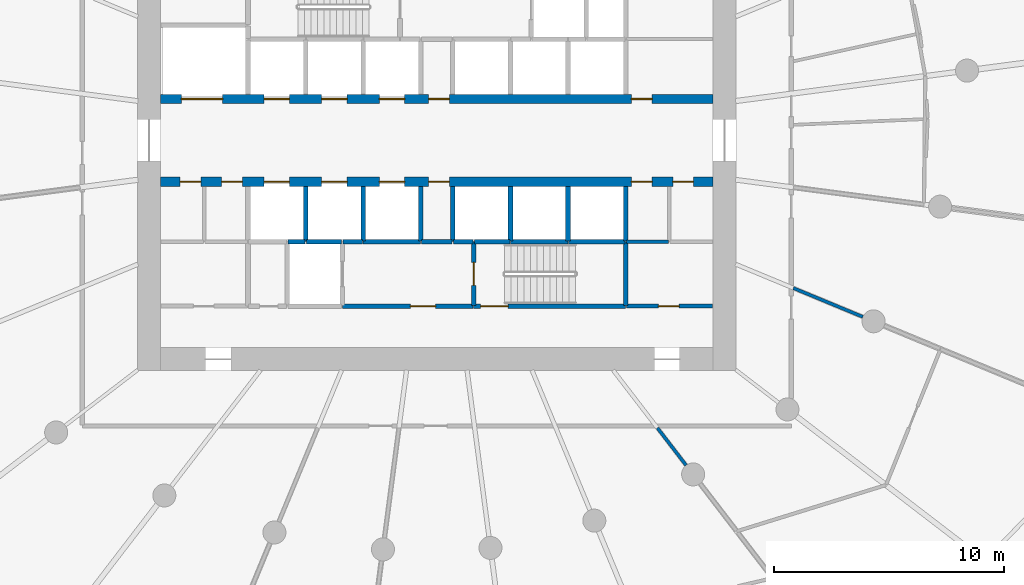
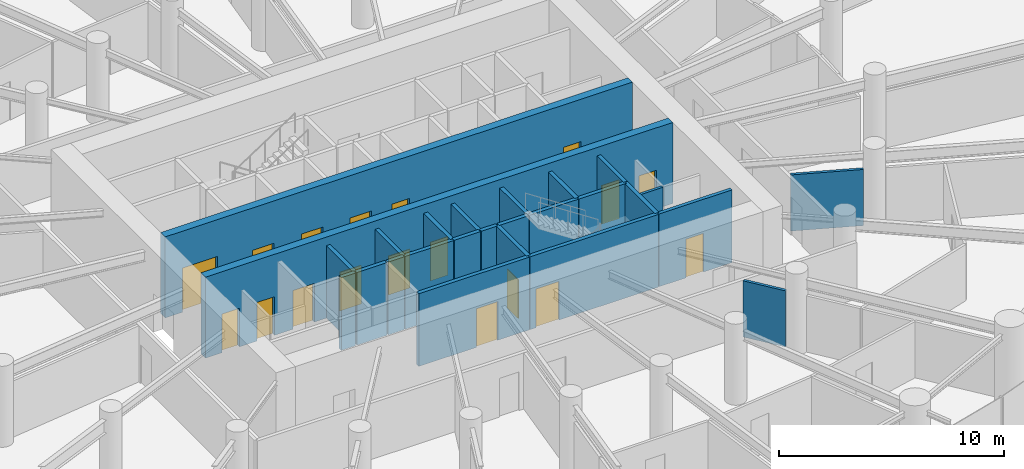
# One storey, part 13 of 19: 26 walls, 18 doors, 18 openings.
"""IFC4 building model written with IfcOpenShell, lengths in metres."""

from ifc_helpers import new_model, si_unit, direction, frame, frame_2d, origin, place, context, subcontext, project, spatial, rectangle, extrude, source, transform, mapped, material, layer, layer_set, type_object, element, fill, save


model = new_model("IFC4")

# Units and contexts
model_context = context("Model", 3, precision=1e-05, world=origin(), true_north=direction((0.0, 1.0)))
body_context = subcontext(model_context, "Body", "Model", "MODEL_VIEW")
ifc_project = project(units=[si_unit("LENGTHUNIT", "METRE"), si_unit("AREAUNIT", "SQUARE_METRE"), si_unit("VOLUMEUNIT", "CUBIC_METRE"), si_unit("PLANEANGLEUNIT", "RADIAN"), si_unit("MASSUNIT", "GRAM", prefix="KILO")], contexts=[model_context])

# Site, building, storey
site_placement = place(None, origin())
site = spatial("IfcSite", under=ifc_project, at=site_placement, CompositionType="ELEMENT")
building_placement = place(site_placement, origin())
building = spatial("IfcBuilding", under=site, at=building_placement, Name="Spindrift Exchange Tower", CompositionType="ELEMENT")
storey_placement = place(building_placement, frame((0.0, 0.0, 27.0)))
storey = spatial("IfcBuildingStorey", under=building, at=storey_placement, Name="L06", CompositionType="ELEMENT", Elevation=27.0)

# Wall, openings, doors
ifc_material_1 = material(Name="Concrete 80 MPa", Category="concrete")
ifc_layer_1 = layer(ifc_material_1, 0.39990234375)
ifc_layer_set_1 = layer_set([ifc_layer_1], Name="RC Spine Wall 400 Concrete 80 MPa")
wall_type_1 = type_object("IfcWallType", Name="RC Spine Wall 400 Concrete 80 MPa", PredefinedType="SHEAR", material=ifc_layer_set_1)
wall_1_placement = place(storey_placement, frame((40.0, 49.800048828125, 0.0), z_axis=(0.0, 0.0, 1.0), x_axis=(1.0, 0.0, 0.0)))
wall_1 = element("IfcWall", 1, at=wall_1_placement, inside=storey, type_object=wall_type_1, Name="Core spine wall N L06", PredefinedType="SHEAR", context=body_context, shape_type="SweptSolid", body=[
    extrude(rectangle(XDim=24.0, YDim=0.39990234375, at=frame_2d((12.0, 0.0))), origin(), (0.0, 0.0, 1.0), 4.39990234375),
])
opening_1_placement = place(wall_1_placement, frame((4.5, 0.0, 0.0)))
opening_1 = element("IfcOpeningElement", 2, at=opening_1_placement, cuts=wall_1, Name="Opening L06-D3", PredefinedType="OPENING", context=body_context, shape_type="SweptSolid", body=[
    extrude(rectangle(XDim=1.10009765625, YDim=2.10009765625, at=frame_2d((0.550048828125, 1.050048828125))), frame((0.0, 0.2099609375, 0.0), z_axis=(0.0, -1.0, 0.0), x_axis=(1.0, 0.0, 0.0)), (0.0, 0.0, 1.0), 0.419921875),
])
opening_2_placement = place(wall_1_placement, frame((7.0, 0.0, 0.0)))
opening_2 = element("IfcOpeningElement", 3, at=opening_2_placement, cuts=wall_1, Name="Opening L06-D4", PredefinedType="OPENING", context=body_context, shape_type="SweptSolid", body=[
    extrude(rectangle(XDim=1.10009765625, YDim=2.10009765625, at=frame_2d((0.550048828125, 1.050048828125))), frame((0.0, 0.2099609375, 0.0), z_axis=(0.0, -1.0, 0.0), x_axis=(1.0, 0.0, 0.0)), (0.0, 0.0, 1.0), 0.419921875),
])
opening_3_placement = place(wall_1_placement, frame((9.5, 0.0, 0.0)))
opening_3 = element("IfcOpeningElement", 4, at=opening_3_placement, cuts=wall_1, Name="Opening L06-D5", PredefinedType="OPENING", context=body_context, shape_type="SweptSolid", body=[
    extrude(rectangle(XDim=1.10009765625, YDim=2.10009765625, at=frame_2d((0.550048828125, 1.050048828125))), frame((0.0, 0.2099609375, 0.0), z_axis=(0.0, -1.0, 0.0), x_axis=(1.0, 0.0, 0.0)), (0.0, 0.0, 1.0), 0.419921875),
])
opening_4_placement = place(wall_1_placement, frame((0.89990234375, 0.0, 0.0)))
opening_4 = element("IfcOpeningElement", 5, at=opening_4_placement, cuts=wall_1, Name="Opening L06-D12", PredefinedType="OPENING", context=body_context, shape_type="SweptSolid", body=[
    extrude(rectangle(XDim=1.800048828125, YDim=2.39990234375, at=frame_2d((0.89990234375, 1.199951171875))), frame((0.0, 0.2099609375, 0.0), z_axis=(0.0, -1.0, 0.0), x_axis=(1.0, 0.0, 0.0)), (0.0, 0.0, 1.0), 0.419921875),
])
opening_5_placement = place(wall_1_placement, frame((20.449951171875, 0.0, 0.0)))
opening_5 = element("IfcOpeningElement", 6, at=opening_5_placement, cuts=wall_1, Name="Opening L06-D53", PredefinedType="OPENING", context=body_context, shape_type="SweptSolid", body=[
    extrude(rectangle(XDim=0.89990234375, YDim=2.10009765625, at=frame_2d((0.449951171875, 1.050048828125))), frame((0.0, 0.2099609375, 0.0), z_axis=(0.0, -1.0, 0.0), x_axis=(1.0, 0.0, 0.0)), (0.0, 0.0, 1.0), 0.419921875),
])
opening_6_placement = place(wall_1_placement, frame((11.64990234375, 0.0, 0.0)))
opening_6 = element("IfcOpeningElement", 7, at=opening_6_placement, cuts=wall_1, Name="Opening L06-D58", PredefinedType="OPENING", context=body_context, shape_type="SweptSolid", body=[
    extrude(rectangle(XDim=0.89990234375, YDim=2.10009765625, at=frame_2d((0.449951171875, 1.050048828125))), frame((0.0, 0.2099609375, 0.0), z_axis=(0.0, -1.0, 0.0), x_axis=(1.0, 0.0, 0.0)), (0.0, 0.0, 1.0), 0.419921875),
])
ifc_material_2 = material(Name="Stainless steel landing door", Category="steel")
door_type_1 = type_object("IfcDoorType", Name="DR-LANDING-1100-SL", OperationType="DOUBLE_DOOR_SLIDING", PredefinedType="USERDEFINED", material=ifc_material_2)
shared_shape_1 = source(origin(), body_context, "Body", "SweptSolid", [
    extrude(rectangle(XDim=1.10009765625, YDim=2.10009765625, at=frame_2d((0.550048828125, 1.050048828125))), frame((0.0, 0.02490234375, 0.0), z_axis=(0.0, -1.0, 0.0), x_axis=(1.0, 0.0, 0.0)), (0.0, 0.0, 1.0), 0.050048828125),
])
door_1_placement = place(opening_1_placement, origin())
door_1 = element("IfcDoor", 8, at=door_1_placement, inside=storey, type_object=door_type_1, Name="L06 Lift landing door 3", ObjectType="LANDING DOOR", OperationType="DOUBLE_DOOR_SLIDING", OverallHeight=2.10009765625, OverallWidth=1.10009765625, PredefinedType="USERDEFINED", context=body_context, shape_type="MappedRepresentation", body=[
    mapped(shared_shape_1, transform((0.0, 0.0, 0.0), scale=1.0)),
])
fill(opening_1, door_1)
door_2_placement = place(opening_2_placement, origin())
door_2 = element("IfcDoor", 9, at=door_2_placement, inside=storey, type_object=door_type_1, Name="L06 Lift landing door 4", ObjectType="LANDING DOOR", OperationType="DOUBLE_DOOR_SLIDING", OverallHeight=2.10009765625, OverallWidth=1.10009765625, PredefinedType="USERDEFINED", context=body_context, shape_type="MappedRepresentation", body=[
    mapped(shared_shape_1, transform((0.0, 0.0, 0.0), scale=1.0)),
])
fill(opening_2, door_2)
door_3_placement = place(opening_3_placement, origin())
door_3 = element("IfcDoor", 10, at=door_3_placement, inside=storey, type_object=door_type_1, Name="L06 Lift landing door 5", ObjectType="LANDING DOOR", OperationType="DOUBLE_DOOR_SLIDING", OverallHeight=2.10009765625, OverallWidth=1.10009765625, PredefinedType="USERDEFINED", context=body_context, shape_type="MappedRepresentation", body=[
    mapped(shared_shape_1, transform((0.0, 0.0, 0.0), scale=1.0)),
])
fill(opening_3, door_3)
door_type_2 = type_object("IfcDoorType", Name="DR-LANDING-1800-SL", OperationType="DOUBLE_DOOR_SLIDING", PredefinedType="USERDEFINED", material=ifc_material_2)
shared_shape_2 = source(origin(), body_context, "Body", "SweptSolid", [
    extrude(rectangle(XDim=1.800048828125, YDim=2.39990234375, at=frame_2d((0.89990234375, 1.199951171875))), frame((0.0, 0.02490234375, 0.0), z_axis=(0.0, -1.0, 0.0), x_axis=(1.0, 0.0, 0.0)), (0.0, 0.0, 1.0), 0.050048828125),
])
door_4_placement = place(opening_4_placement, origin())
door_4 = element("IfcDoor", 11, at=door_4_placement, inside=storey, type_object=door_type_2, Name="L06 Lift landing door 12", ObjectType="LANDING DOOR", OperationType="DOUBLE_DOOR_SLIDING", OverallHeight=2.39990234375, OverallWidth=1.800048828125, PredefinedType="USERDEFINED", context=body_context, shape_type="MappedRepresentation", body=[
    mapped(shared_shape_2, transform((0.0, 0.0, 0.0), scale=1.0)),
])
fill(opening_4, door_4)
ifc_material_3 = material(Name="Steel access door", Category="steel")
door_type_3 = type_object("IfcDoorType", Name="DR-RISER-900", OperationType="NOTDEFINED", PredefinedType="DOOR", material=ifc_material_3)
shared_shape_3 = source(origin(), body_context, "Body", "SweptSolid", [
    extrude(rectangle(XDim=0.89990234375, YDim=2.10009765625, at=frame_2d((0.449951171875, 1.050048828125))), frame((0.0, 0.02490234375, 0.0), z_axis=(0.0, -1.0, 0.0), x_axis=(1.0, 0.0, 0.0)), (0.0, 0.0, 1.0), 0.050048828125),
])
door_5_placement = place(opening_5_placement, origin())
door_5 = element("IfcDoor", 12, at=door_5_placement, inside=storey, type_object=door_type_3, Name="L06 Riser door 53", OperationType="SINGLE_SWING_RIGHT", OverallHeight=2.10009765625, OverallWidth=0.89990234375, PredefinedType="DOOR", context=body_context, shape_type="MappedRepresentation", body=[
    mapped(shared_shape_3, transform((0.0, 0.0, 0.0), scale=1.0)),
])
fill(opening_5, door_5)
door_6_placement = place(opening_6_placement, origin())
door_6 = element("IfcDoor", 13, at=door_6_placement, inside=storey, type_object=door_type_3, Name="L06 Riser door 58", OperationType="SINGLE_SWING_LEFT", OverallHeight=2.10009765625, OverallWidth=0.89990234375, PredefinedType="DOOR", context=body_context, shape_type="MappedRepresentation", body=[
    mapped(shared_shape_3, transform((0.0, 0.0, 0.0), scale=1.0)),
])
fill(opening_6, door_6)

wall_2_placement = place(storey_placement, frame((40.0, 46.199951171875, 0.0), z_axis=(0.0, 0.0, 1.0), x_axis=(1.0, 0.0, 0.0)))
wall_2 = element("IfcWall", 14, at=wall_2_placement, inside=storey, type_object=wall_type_1, Name="Core spine wall S L06", PredefinedType="SHEAR", context=body_context, shape_type="SweptSolid", body=[
    extrude(rectangle(XDim=24.0, YDim=0.39990234375, at=frame_2d((12.0, 0.0))), origin(), (0.0, 0.0, 1.0), 4.39990234375),
])
opening_7_placement = place(wall_2_placement, frame((4.5, 0.0, 0.0)))
opening_7 = element("IfcOpeningElement", 15, at=opening_7_placement, cuts=wall_2, Name="Opening L06-D6", PredefinedType="OPENING", context=body_context, shape_type="SweptSolid", body=[
    extrude(rectangle(XDim=1.10009765625, YDim=2.10009765625, at=frame_2d((0.550048828125, 1.050048828125))), frame((0.0, 0.2099609375, 0.0), z_axis=(0.0, -1.0, 0.0), x_axis=(1.0, 0.0, 0.0)), (0.0, 0.0, 1.0), 0.419921875),
])
opening_8_placement = place(wall_2_placement, frame((7.0, 0.0, 0.0)))
opening_8 = element("IfcOpeningElement", 16, at=opening_8_placement, cuts=wall_2, Name="Opening L06-D7", PredefinedType="OPENING", context=body_context, shape_type="SweptSolid", body=[
    extrude(rectangle(XDim=1.10009765625, YDim=2.10009765625, at=frame_2d((0.550048828125, 1.050048828125))), frame((0.0, 0.2099609375, 0.0), z_axis=(0.0, -1.0, 0.0), x_axis=(1.0, 0.0, 0.0)), (0.0, 0.0, 1.0), 0.419921875),
])
opening_9_placement = place(wall_2_placement, frame((9.5, 0.0, 0.0)))
opening_9 = element("IfcOpeningElement", 17, at=opening_9_placement, cuts=wall_2, Name="Opening L06-D8", PredefinedType="OPENING", context=body_context, shape_type="SweptSolid", body=[
    extrude(rectangle(XDim=1.10009765625, YDim=2.10009765625, at=frame_2d((0.550048828125, 1.050048828125))), frame((0.0, 0.2099609375, 0.0), z_axis=(0.0, -1.0, 0.0), x_axis=(1.0, 0.0, 0.0)), (0.0, 0.0, 1.0), 0.419921875),
])
opening_10_placement = place(wall_2_placement, frame((20.449951171875, 0.0, 0.0)))
opening_10 = element("IfcOpeningElement", 18, at=opening_10_placement, cuts=wall_2, Name="Opening L06-D51", PredefinedType="OPENING", context=body_context, shape_type="SweptSolid", body=[
    extrude(rectangle(XDim=0.89990234375, YDim=2.10009765625, at=frame_2d((0.449951171875, 1.050048828125))), frame((0.0, 0.2099609375, 0.0), z_axis=(0.0, -1.0, 0.0), x_axis=(1.0, 0.0, 0.0)), (0.0, 0.0, 1.0), 0.419921875),
])
opening_11_placement = place(wall_2_placement, frame((22.25, 0.0, 0.0)))
opening_11 = element("IfcOpeningElement", 19, at=opening_11_placement, cuts=wall_2, Name="Opening L06-D52", PredefinedType="OPENING", context=body_context, shape_type="SweptSolid", body=[
    extrude(rectangle(XDim=0.89990234375, YDim=2.10009765625, at=frame_2d((0.449951171875, 1.050048828125))), frame((0.0, 0.2099609375, 0.0), z_axis=(0.0, -1.0, 0.0), x_axis=(1.0, 0.0, 0.0)), (0.0, 0.0, 1.0), 0.419921875),
])
opening_12_placement = place(wall_2_placement, frame((0.85009765625, 0.0, 0.0)))
opening_12 = element("IfcOpeningElement", 20, at=opening_12_placement, cuts=wall_2, Name="Opening L06-D56", PredefinedType="OPENING", context=body_context, shape_type="SweptSolid", body=[
    extrude(rectangle(XDim=0.89990234375, YDim=2.10009765625, at=frame_2d((0.449951171875, 1.050048828125))), frame((0.0, 0.2099609375, 0.0), z_axis=(0.0, -1.0, 0.0), x_axis=(1.0, 0.0, 0.0)), (0.0, 0.0, 1.0), 0.419921875),
])
opening_13_placement = place(wall_2_placement, frame((2.64990234375, 0.0, 0.0)))
opening_13 = element("IfcOpeningElement", 21, at=opening_13_placement, cuts=wall_2, Name="Opening L06-D57", PredefinedType="OPENING", context=body_context, shape_type="SweptSolid", body=[
    extrude(rectangle(XDim=0.89990234375, YDim=2.10009765625, at=frame_2d((0.449951171875, 1.050048828125))), frame((0.0, 0.2099609375, 0.0), z_axis=(0.0, -1.0, 0.0), x_axis=(1.0, 0.0, 0.0)), (0.0, 0.0, 1.0), 0.419921875),
])
opening_14_placement = place(wall_2_placement, frame((11.64990234375, 0.0, 0.0)))
opening_14 = element("IfcOpeningElement", 22, at=opening_14_placement, cuts=wall_2, Name="Opening L06-D59", PredefinedType="OPENING", context=body_context, shape_type="SweptSolid", body=[
    extrude(rectangle(XDim=0.89990234375, YDim=2.10009765625, at=frame_2d((0.449951171875, 1.050048828125))), frame((0.0, 0.2099609375, 0.0), z_axis=(0.0, -1.0, 0.0), x_axis=(1.0, 0.0, 0.0)), (0.0, 0.0, 1.0), 0.419921875),
])
door_7_placement = place(opening_7_placement, origin())
door_7 = element("IfcDoor", 23, at=door_7_placement, inside=storey, type_object=door_type_1, Name="L06 Lift landing door 6", ObjectType="LANDING DOOR", OperationType="DOUBLE_DOOR_SLIDING", OverallHeight=2.10009765625, OverallWidth=1.10009765625, PredefinedType="USERDEFINED", context=body_context, shape_type="MappedRepresentation", body=[
    mapped(shared_shape_1, transform((0.0, 0.0, 0.0), scale=1.0)),
])
fill(opening_7, door_7)
door_8_placement = place(opening_8_placement, origin())
door_8 = element("IfcDoor", 24, at=door_8_placement, inside=storey, type_object=door_type_1, Name="L06 Lift landing door 7", ObjectType="LANDING DOOR", OperationType="DOUBLE_DOOR_SLIDING", OverallHeight=2.10009765625, OverallWidth=1.10009765625, PredefinedType="USERDEFINED", context=body_context, shape_type="MappedRepresentation", body=[
    mapped(shared_shape_1, transform((0.0, 0.0, 0.0), scale=1.0)),
])
fill(opening_8, door_8)
door_9_placement = place(opening_9_placement, origin())
door_9 = element("IfcDoor", 25, at=door_9_placement, inside=storey, type_object=door_type_1, Name="L06 Lift landing door 8", ObjectType="LANDING DOOR", OperationType="DOUBLE_DOOR_SLIDING", OverallHeight=2.10009765625, OverallWidth=1.10009765625, PredefinedType="USERDEFINED", context=body_context, shape_type="MappedRepresentation", body=[
    mapped(shared_shape_1, transform((0.0, 0.0, 0.0), scale=1.0)),
])
fill(opening_9, door_9)
door_10_placement = place(opening_10_placement, origin())
door_10 = element("IfcDoor", 26, at=door_10_placement, inside=storey, type_object=door_type_3, Name="L06 Riser door 51", OperationType="SINGLE_SWING_RIGHT", OverallHeight=2.10009765625, OverallWidth=0.89990234375, PredefinedType="DOOR", context=body_context, shape_type="MappedRepresentation", body=[
    mapped(shared_shape_3, transform((0.0, 0.0, 0.0), scale=1.0)),
])
fill(opening_10, door_10)
door_11_placement = place(opening_11_placement, origin())
door_11 = element("IfcDoor", 27, at=door_11_placement, inside=storey, type_object=door_type_3, Name="L06 Riser door 52", OperationType="SINGLE_SWING_LEFT", OverallHeight=2.10009765625, OverallWidth=0.89990234375, PredefinedType="DOOR", context=body_context, shape_type="MappedRepresentation", body=[
    mapped(shared_shape_3, transform((0.0, 0.0, 0.0), scale=1.0)),
])
fill(opening_11, door_11)
door_12_placement = place(opening_12_placement, origin())
door_12 = element("IfcDoor", 28, at=door_12_placement, inside=storey, type_object=door_type_3, Name="L06 Riser door 56", OperationType="SINGLE_SWING_LEFT", OverallHeight=2.10009765625, OverallWidth=0.89990234375, PredefinedType="DOOR", context=body_context, shape_type="MappedRepresentation", body=[
    mapped(shared_shape_3, transform((0.0, 0.0, 0.0), scale=1.0)),
])
fill(opening_12, door_12)
door_13_placement = place(opening_13_placement, origin())
door_13 = element("IfcDoor", 29, at=door_13_placement, inside=storey, type_object=door_type_3, Name="L06 Riser door 57", OperationType="SINGLE_SWING_RIGHT", OverallHeight=2.10009765625, OverallWidth=0.89990234375, PredefinedType="DOOR", context=body_context, shape_type="MappedRepresentation", body=[
    mapped(shared_shape_3, transform((0.0, 0.0, 0.0), scale=1.0)),
])
fill(opening_13, door_13)
door_14_placement = place(opening_14_placement, origin())
door_14 = element("IfcDoor", 30, at=door_14_placement, inside=storey, type_object=door_type_3, Name="L06 Riser door 59", OperationType="SINGLE_SWING_RIGHT", OverallHeight=2.10009765625, OverallWidth=0.89990234375, PredefinedType="DOOR", context=body_context, shape_type="MappedRepresentation", body=[
    mapped(shared_shape_3, transform((0.0, 0.0, 0.0), scale=1.0)),
])
fill(opening_14, door_14)

# Wall, opening, door
ifc_material_4 = material(Name="Fire-rated plasterboard partition", Category="gypsum")
ifc_layer_2 = layer(ifc_material_4, 0.179931640625)
ifc_layer_set_2 = layer_set([ifc_layer_2], Name="W-CORR-180")
wall_type_2 = type_object("IfcWallType", Name="W-CORR-180", PredefinedType="PARTITIONING", material=ifc_layer_set_2)
wall_3_placement = place(storey_placement, frame((60.22998046875, 40.800048828125, 0.0), z_axis=(0.0, 0.0, 1.0), x_axis=(1.0, 0.0, 0.0)))
wall_3 = element("IfcWall", 31, at=wall_3_placement, inside=storey, type_object=wall_type_2, Name="L06 Partition wall 63", PredefinedType="PARTITIONING", context=body_context, shape_type="SweptSolid", body=[
    extrude(rectangle(XDim=3.75, YDim=0.179931640625, at=frame_2d((1.875, 0.0))), origin(), (0.0, 0.0, 1.0), 3.949951171875),
])
opening_15_placement = place(wall_3_placement, frame((1.39990234375, 0.0, 0.0)))
opening_15 = element("IfcOpeningElement", 32, at=opening_15_placement, cuts=wall_3, Name="Opening L06-D55", PredefinedType="OPENING", context=body_context, shape_type="SweptSolid", body=[
    extrude(rectangle(XDim=0.89990234375, YDim=2.10009765625, at=frame_2d((0.449951171875, 1.050048828125))), frame((0.0, 0.099853515625, 0.0), z_axis=(0.0, -1.0, 0.0), x_axis=(1.0, 0.0, 0.0)), (0.0, 0.0, 1.0), 0.199951171875),
])
door_15_placement = place(opening_15_placement, origin())
door_15 = element("IfcDoor", 33, at=door_15_placement, inside=storey, type_object=door_type_3, Name="L06 Riser door 55", OperationType="SINGLE_SWING_RIGHT", OverallHeight=2.10009765625, OverallWidth=0.89990234375, PredefinedType="DOOR", context=body_context, shape_type="MappedRepresentation", body=[
    mapped(shared_shape_3, transform((0.0, 0.0, 0.0), scale=1.0)),
])
fill(opening_15, door_15)

# Walls
ifc_layer_3 = layer(ifc_material_4, 0.139892578125)
ifc_layer_set_3 = layer_set([ifc_layer_3], Name="W-PART-140")
wall_type_3 = type_object("IfcWallType", Name="W-PART-140", PredefinedType="PARTITIONING", material=ifc_layer_set_3)
wall_4_placement = place(storey_placement, frame((60.22998046875, 43.60009765625, 0.0), z_axis=(0.0, 0.0, 1.0), x_axis=(1.0, 0.0, 0.0)))
element("IfcWall", 34, at=wall_4_placement, inside=storey, type_object=wall_type_3, Name="L06 Partition wall 125", PredefinedType="PARTITIONING", context=body_context, shape_type="SweptSolid", body=[
    extrude(rectangle(XDim=1.840087890625, YDim=0.139892578125, at=frame_2d((0.919921875, 0.0))), origin(), (0.0, 0.0, 1.0), 3.050048828125),
])
ifc_layer_4 = layer(ifc_material_4, 0.139892578125)
ifc_layer_set_4 = layer_set([ifc_layer_4], Name="W-PLANT-140")
wall_type_4 = type_object("IfcWallType", Name="W-PLANT-140", PredefinedType="PARTITIONING", material=ifc_layer_set_4)
wall_5_placement = place(storey_placement, frame((67.489990234375, 41.583740234375, 0.0), z_axis=(0.0, 0.0, 1.0), x_axis=(0.923911109142, -0.382607190737, 0.0)))
element("IfcWall", 35, at=wall_5_placement, inside=storey, type_object=wall_type_4, Name="L06 Partition wall 111", PredefinedType="PARTITIONING", context=body_context, shape_type="SweptSolid", body=[
    extrude(rectangle(XDim=3.264404296875, YDim=0.139892578125, at=frame_2d((1.63232421875, 0.0))), origin(), (0.0, 0.0, 1.0), 3.050048828125),
])
wall_6_placement = place(storey_placement, frame((61.583984375, 35.510009765625, 0.0), z_axis=(0.0, 0.0, 1.0), x_axis=(0.608727763541, -0.793379171578, 0.0)))
element("IfcWall", 36, at=wall_6_placement, inside=storey, type_object=wall_type_4, Name="L06 Partition wall 123", PredefinedType="PARTITIONING", context=body_context, shape_type="SweptSolid", body=[
    extrude(rectangle(XDim=2.04150390625, YDim=0.139892578125, at=frame_2d((1.020751953125, 0.0))), origin(), (0.0, 0.0, 1.0), 3.050048828125),
])
ifc_material_5 = material(Name="Concrete 40 MPa", Category="concrete")
ifc_layer_5 = layer(ifc_material_5, 0.199951171875)
ifc_layer_set_5 = layer_set([ifc_layer_5], Name="W-SHAFT-200")
wall_type_5 = type_object("IfcWallType", Name="W-SHAFT-200", PredefinedType="SOLIDWALL", material=ifc_layer_set_5)
wall_7_placement = place(storey_placement, frame((48.800048828125, 43.60009765625, 0.0), z_axis=(0.0, 0.0, 1.0), x_axis=(1.0, 0.0, 0.0)))
element("IfcWall", 37, at=wall_7_placement, inside=storey, type_object=wall_type_5, Name="L06 Shaft wall 17", PredefinedType="SOLIDWALL", context=body_context, shape_type="SweptSolid", body=[
    extrude(rectangle(XDim=2.5, YDim=0.199951171875, at=frame_2d((1.25, 0.0))), origin(), (0.0, 0.0, 1.0), 3.949951171875),
])
wall_8_placement = place(storey_placement, frame((46.300048828125, 43.60009765625, 0.0), z_axis=(0.0, 0.0, 1.0), x_axis=(0.0, 1.0, 0.0)))
element("IfcWall", 38, at=wall_8_placement, inside=storey, type_object=wall_type_5, Name="L06 Shaft wall 25", PredefinedType="SOLIDWALL", context=body_context, shape_type="SweptSolid", body=[
    extrude(rectangle(XDim=2.389892578125, YDim=0.199951171875, at=frame_2d((1.19482421875, 0.0))), origin(), (0.0, 0.0, 1.0), 3.949951171875),
])
for number, where, z_axis, x_axis, name in (
    (39, (48.800048828125, 43.6298828125, 0.0), (0.0, 0.0, 1.0), (0.0, 1.0, 0.0), "L06 Shaft wall 27"),
    (40, (51.300048828125, 43.6298828125, 0.0), (0.0, 0.0, 1.0), (0.0, 1.0, 0.0), "L06 Shaft wall 29"),
):
    element("IfcWall", number, at=place(storey_placement, frame(where, z_axis=z_axis, x_axis=x_axis)), inside=storey, type_object=wall_type_5, Name=name, PredefinedType="SOLIDWALL", context=body_context, shape_type="SweptSolid", body=[
        extrude(rectangle(XDim=2.360107421875, YDim=0.199951171875, at=frame_2d((1.18017578125, 0.0))), origin(), (0.0, 0.0, 1.0), 3.949951171875),
    ])
wall_9_placement = place(storey_placement, frame((52.699951171875, 45.989990234375, 0.0), z_axis=(0.0, 0.0, 1.0), x_axis=(0.0, -1.0, 0.0)))
element("IfcWall", 41, at=wall_9_placement, inside=storey, type_object=wall_type_5, Name="L06 Shaft wall 31", PredefinedType="SOLIDWALL", context=body_context, shape_type="SweptSolid", body=[
    extrude(rectangle(XDim=2.389892578125, YDim=0.199951171875, at=frame_2d((1.19482421875, 0.0))), origin(), (0.0, 0.0, 1.0), 3.949951171875),
])
wall_10_placement = place(storey_placement, frame((46.330078125, 43.60009765625, 0.0), z_axis=(0.0, 0.0, 1.0), x_axis=(1.0, 0.0, 0.0)))
element("IfcWall", 42, at=wall_10_placement, inside=storey, type_object=wall_type_5, Name="L06 Shaft wall 44", PredefinedType="SOLIDWALL", context=body_context, shape_type="SweptSolid", body=[
    extrude(rectangle(XDim=1.5400390625, YDim=0.199951171875, at=frame_2d((0.77001953125, 0.0))), origin(), (0.0, 0.0, 1.0), 3.949951171875),
])
wall_11_placement = place(storey_placement, frame((52.669921875, 43.60009765625, 0.0), z_axis=(0.0, 0.0, 1.0), x_axis=(-1.0, 0.0, 0.0)))
element("IfcWall", 43, at=wall_11_placement, inside=storey, type_object=wall_type_5, Name="L06 Shaft wall 48", PredefinedType="SOLIDWALL", context=body_context, shape_type="SweptSolid", body=[
    extrude(rectangle(XDim=1.33984375, YDim=0.199951171875, at=frame_2d((0.669921875, 0.0))), origin(), (0.0, 0.0, 1.0), 3.949951171875),
])
wall_12_placement = place(storey_placement, frame((47.929931640625, 43.60009765625, 0.0), z_axis=(0.0, 0.0, 1.0), x_axis=(1.0, 0.0, 0.0)))
element("IfcWall", 44, at=wall_12_placement, inside=storey, type_object=wall_type_5, Name="L06 Shaft wall 50", PredefinedType="SOLIDWALL", context=body_context, shape_type="SweptSolid", body=[
    extrude(rectangle(XDim=0.840087890625, YDim=0.199951171875, at=frame_2d((0.419921875, 0.0))), origin(), (0.0, 0.0, 1.0), 3.949951171875),
])
wall_13_placement = place(storey_placement, frame((45.530029296875, 43.60009765625, 0.0), z_axis=(0.0, 0.0, 1.0), x_axis=(1.0, 0.0, 0.0)))
element("IfcWall", 45, at=wall_13_placement, inside=storey, type_object=wall_type_5, Name="L06 Shaft wall 54", PredefinedType="SOLIDWALL", context=body_context, shape_type="SweptSolid", body=[
    extrude(rectangle(XDim=0.739990234375, YDim=0.199951171875, at=frame_2d((0.3701171875, 0.0))), origin(), (0.0, 0.0, 1.0), 3.949951171875),
])

# Wall, opening, door
ifc_layer_6 = layer(ifc_material_5, 0.199951171875)
ifc_layer_set_6 = layer_set([ifc_layer_6], Name="W-SHAFT-200-LB")
wall_type_6 = type_object("IfcWallType", Name="W-SHAFT-200-LB", PredefinedType="SOLIDWALL", material=ifc_layer_set_6)
wall_14_placement = place(storey_placement, frame((53.60009765625, 40.800048828125, 0.0), z_axis=(0.0, 0.0, 1.0), x_axis=(1.0, 0.0, 0.0)))
wall_14 = element("IfcWall", 46, at=wall_14_placement, inside=storey, type_object=wall_type_6, Name="L06 Shaft wall 2", PredefinedType="SOLIDWALL", context=body_context, shape_type="SweptSolid", body=[
    extrude(rectangle(XDim=6.599853515625, YDim=0.199951171875, at=frame_2d((3.2998046875, 0.0))), origin(), (0.0, 0.0, 1.0), 3.949951171875),
])
opening_16_placement = place(wall_14_placement, frame((0.300048828125, 0.0, 0.0)))
opening_16 = element("IfcOpeningElement", 47, at=opening_16_placement, cuts=wall_14, Name="Opening L06-D16", PredefinedType="OPENING", context=body_context, shape_type="SweptSolid", body=[
    extrude(rectangle(XDim=1.199951171875, YDim=2.10009765625, at=frame_2d((0.60009765625, 1.050048828125))), frame((0.0, 0.10986328125, 0.0), z_axis=(0.0, -1.0, 0.0), x_axis=(1.0, 0.0, 0.0)), (0.0, 0.0, 1.0), 0.219970703125),
])
ifc_material_6 = material(Name="Steel fire door", Category="steel")
door_type_4 = type_object("IfcDoorType", Name="DR-STAIR-1200", OperationType="NOTDEFINED", PredefinedType="DOOR", material=ifc_material_6)
shared_shape_4 = source(origin(), body_context, "Body", "SweptSolid", [
    extrude(rectangle(XDim=1.199951171875, YDim=2.10009765625, at=frame_2d((0.60009765625, 1.050048828125))), frame((0.0, 0.02490234375, 0.0), z_axis=(0.0, -1.0, 0.0), x_axis=(1.0, 0.0, 0.0)), (0.0, 0.0, 1.0), 0.050048828125),
])
door_16_placement = place(opening_16_placement, origin())
door_16 = element("IfcDoor", 48, at=door_16_placement, inside=storey, type_object=door_type_4, Name="L06 Stair door 16", OperationType="SINGLE_SWING_LEFT", OverallHeight=2.10009765625, OverallWidth=1.199951171875, PredefinedType="DOOR", context=body_context, shape_type="MappedRepresentation", body=[
    mapped(shared_shape_4, transform((0.0, 0.0, 0.0), scale=1.0)),
])
fill(opening_16, door_16)

wall_15_placement = place(storey_placement, frame((47.89990234375, 40.800048828125, 0.0), z_axis=(0.0, 0.0, 1.0), x_axis=(1.0, 0.0, 0.0)))
wall_15 = element("IfcWall", 49, at=wall_15_placement, inside=storey, type_object=wall_type_6, Name="L06 Shaft wall 3", PredefinedType="SOLIDWALL", context=body_context, shape_type="SweptSolid", body=[
    extrude(rectangle(XDim=5.670166015625, YDim=0.199951171875, at=frame_2d((2.8349609375, 0.0))), origin(), (0.0, 0.0, 1.0), 3.949951171875),
])
opening_17_placement = place(wall_15_placement, frame((2.949951171875, 0.0, 0.0)))
opening_17 = element("IfcOpeningElement", 50, at=opening_17_placement, cuts=wall_15, Name="Opening L06-D18", PredefinedType="OPENING", context=body_context, shape_type="SweptSolid", body=[
    extrude(rectangle(XDim=1.10009765625, YDim=2.10009765625, at=frame_2d((0.550048828125, 1.050048828125))), frame((0.0, 0.10986328125, 0.0), z_axis=(0.0, -1.0, 0.0), x_axis=(1.0, 0.0, 0.0)), (0.0, 0.0, 1.0), 0.219970703125),
])
ifc_material_7 = material(Name="Timber-core fire door", Category="wood")
door_type_5 = type_object("IfcDoorType", Name="DR-LOBBY-1100", OperationType="NOTDEFINED", PredefinedType="DOOR", material=ifc_material_7)
shared_shape_5 = source(origin(), body_context, "Body", "SweptSolid", [
    extrude(rectangle(XDim=1.10009765625, YDim=2.10009765625, at=frame_2d((0.550048828125, 1.050048828125))), frame((0.0, 0.02490234375, 0.0), z_axis=(0.0, -1.0, 0.0), x_axis=(1.0, 0.0, 0.0)), (0.0, 0.0, 1.0), 0.050048828125),
])
door_17_placement = place(opening_17_placement, origin())
door_17 = element("IfcDoor", 51, at=door_17_placement, inside=storey, type_object=door_type_5, Name="L06 Lobby door 18", OperationType="SINGLE_SWING_LEFT", OverallHeight=2.10009765625, OverallWidth=1.10009765625, PredefinedType="DOOR", context=body_context, shape_type="MappedRepresentation", body=[
    mapped(shared_shape_5, transform((0.0, 0.0, 0.0), scale=1.0)),
])
fill(opening_17, door_17)

# Wall
wall_16_placement = place(storey_placement, frame((60.199951171875, 40.830078125, 0.0), z_axis=(0.0, 0.0, 1.0), x_axis=(0.0, 1.0, 0.0)))
element("IfcWall", 52, at=wall_16_placement, inside=storey, type_object=wall_type_6, Name="L06 Shaft wall 10", PredefinedType="SOLIDWALL", context=body_context, shape_type="SweptSolid", body=[
    extrude(rectangle(XDim=2.77001953125, YDim=0.199951171875, at=frame_2d((1.385009765625, 0.0))), origin(), (0.0, 0.0, 1.0), 3.949951171875),
])

# Wall, opening, door
wall_17_placement = place(storey_placement, frame((53.60009765625, 43.60009765625, 0.0), z_axis=(0.0, 0.0, 1.0), x_axis=(0.0, -1.0, 0.0)))
wall_17 = element("IfcWall", 53, at=wall_17_placement, inside=storey, type_object=wall_type_6, Name="L06 Shaft wall 11", PredefinedType="SOLIDWALL", context=body_context, shape_type="SweptSolid", body=[
    extrude(rectangle(XDim=2.77001953125, YDim=0.199951171875, at=frame_2d((1.385009765625, 0.0))), origin(), (0.0, 0.0, 1.0), 3.949951171875),
])
opening_18_placement = place(wall_17_placement, frame((0.89990234375, 0.0, 0.0)))
opening_18 = element("IfcOpeningElement", 54, at=opening_18_placement, cuts=wall_17, Name="Opening L06-D17", PredefinedType="OPENING", context=body_context, shape_type="SweptSolid", body=[
    extrude(rectangle(XDim=1.0, YDim=2.10009765625, at=frame_2d((0.5, 1.050048828125))), frame((0.0, 0.10986328125, 0.0), z_axis=(0.0, -1.0, 0.0), x_axis=(1.0, 0.0, 0.0)), (0.0, 0.0, 1.0), 0.219970703125),
])
door_type_6 = type_object("IfcDoorType", Name="DR-STAIR-1000", OperationType="NOTDEFINED", PredefinedType="DOOR", material=ifc_material_6)
shared_shape_6 = source(origin(), body_context, "Body", "SweptSolid", [
    extrude(rectangle(XDim=1.0, YDim=2.10009765625, at=frame_2d((0.5, 1.050048828125))), frame((0.0, 0.02490234375, 0.0), z_axis=(0.0, -1.0, 0.0), x_axis=(1.0, 0.0, 0.0)), (0.0, 0.0, 1.0), 0.050048828125),
])
door_18_placement = place(opening_18_placement, origin())
door_18 = element("IfcDoor", 55, at=door_18_placement, inside=storey, type_object=door_type_6, Name="L06 Stair door 17", OperationType="SINGLE_SWING_RIGHT", OverallHeight=2.10009765625, OverallWidth=1.0, PredefinedType="DOOR", context=body_context, shape_type="MappedRepresentation", body=[
    mapped(shared_shape_6, transform((0.0, 0.0, 0.0), scale=1.0)),
])
fill(opening_18, door_18)

# Walls
wall_18_placement = place(storey_placement, frame((55.199951171875, 43.60009765625, 0.0), z_axis=(0.0, 0.0, 1.0), x_axis=(1.0, 0.0, 0.0)))
element("IfcWall", 56, at=wall_18_placement, inside=storey, type_object=wall_type_6, Name="L06 Shaft wall 19", PredefinedType="SOLIDWALL", context=body_context, shape_type="SweptSolid", body=[
    extrude(rectangle(XDim=2.5, YDim=0.199951171875, at=frame_2d((1.25, 0.0))), origin(), (0.0, 0.0, 1.0), 3.949951171875),
])
wall_19_placement = place(storey_placement, frame((57.72998046875, 43.60009765625, 0.0), z_axis=(0.0, 0.0, 1.0), x_axis=(1.0, 0.0, 0.0)))
element("IfcWall", 57, at=wall_19_placement, inside=storey, type_object=wall_type_6, Name="L06 Shaft wall 20", PredefinedType="SOLIDWALL", context=body_context, shape_type="SweptSolid", body=[
    extrude(rectangle(XDim=2.43994140625, YDim=0.199951171875, at=frame_2d((1.219970703125, 0.0))), origin(), (0.0, 0.0, 1.0), 3.949951171875),
])
for number, where, z_axis, x_axis, name in (
    (58, (55.199951171875, 43.6298828125, 0.0), (0.0, 0.0, 1.0), (0.0, 1.0, 0.0), "L06 Shaft wall 33"),
    (59, (57.699951171875, 43.6298828125, 0.0), (0.0, 0.0, 1.0), (0.0, 1.0, 0.0), "L06 Shaft wall 35"),
    (60, (60.199951171875, 43.6298828125, 0.0), (0.0, 0.0, 1.0), (0.0, 1.0, 0.0), "L06 Shaft wall 37"),
):
    element("IfcWall", number, at=place(storey_placement, frame(where, z_axis=z_axis, x_axis=x_axis)), inside=storey, type_object=wall_type_6, Name=name, PredefinedType="SOLIDWALL", context=body_context, shape_type="SweptSolid", body=[
        extrude(rectangle(XDim=2.360107421875, YDim=0.199951171875, at=frame_2d((1.18017578125, 0.0))), origin(), (0.0, 0.0, 1.0), 3.949951171875),
    ])
wall_20_placement = place(storey_placement, frame((53.6298828125, 43.60009765625, 0.0), z_axis=(0.0, 0.0, 1.0), x_axis=(1.0, 0.0, 0.0)))
element("IfcWall", 61, at=wall_20_placement, inside=storey, type_object=wall_type_6, Name="L06 Shaft wall 46", PredefinedType="SOLIDWALL", context=body_context, shape_type="SweptSolid", body=[
    extrude(rectangle(XDim=1.5400390625, YDim=0.199951171875, at=frame_2d((0.77001953125, 0.0))), origin(), (0.0, 0.0, 1.0), 3.949951171875),
])
wall_21_placement = place(storey_placement, frame((52.72998046875, 43.60009765625, 0.0), z_axis=(0.0, 0.0, 1.0), x_axis=(1.0, 0.0, 0.0)))
element("IfcWall", 62, at=wall_21_placement, inside=storey, type_object=wall_type_6, Name="L06 Shaft wall 52", PredefinedType="SOLIDWALL", context=body_context, shape_type="SweptSolid", body=[
    extrude(rectangle(XDim=0.840087890625, YDim=0.199951171875, at=frame_2d((0.419921875, 0.0))), origin(), (0.0, 0.0, 1.0), 3.949951171875),
])

save(model, "model.ifc")
